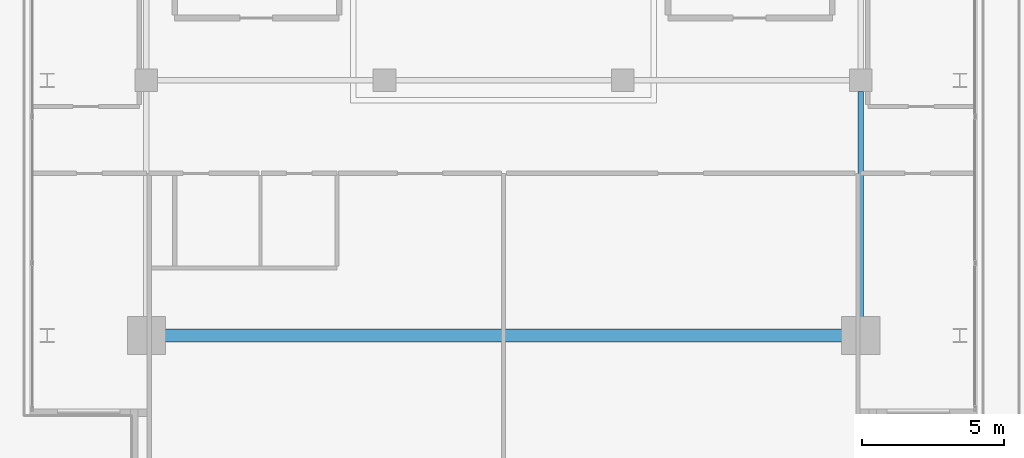
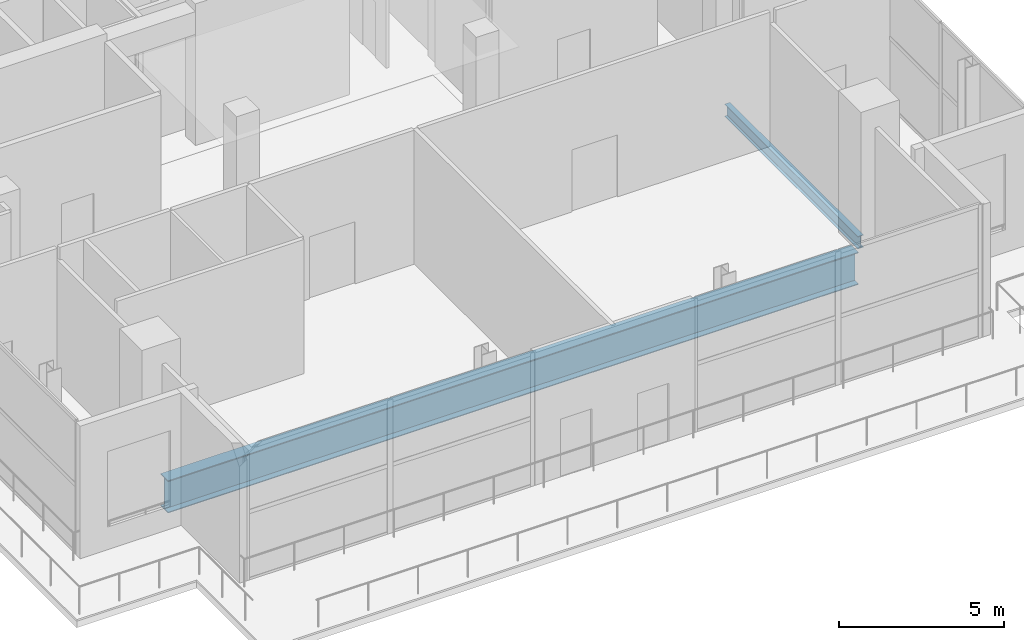
# One storey, part 5 of 19: 2 beams.
"""IFC4 building model written with IfcOpenShell, lengths in metres."""

from ifc_helpers import new_model, si_unit, direction, frame, origin, origin_2d, place, context, subcontext, project, spatial, i_section, extrude, material, material_profile, profile_set, type_object, element, save


model = new_model("IFC4")

# Units and contexts
model_context = context("Model", 3, precision=1e-05, world=origin(), true_north=direction((0.0, 1.0)))
body_context = subcontext(model_context, "Body", "Model", "MODEL_VIEW")
ifc_project = project(units=[si_unit("LENGTHUNIT", "METRE"), si_unit("AREAUNIT", "SQUARE_METRE"), si_unit("VOLUMEUNIT", "CUBIC_METRE"), si_unit("PLANEANGLEUNIT", "RADIAN"), si_unit("MASSUNIT", "GRAM", prefix="KILO")], contexts=[model_context])

# Site, building, storey
site_placement = place(None, origin())
site = spatial("IfcSite", under=ifc_project, at=site_placement, CompositionType="ELEMENT")
building_placement = place(site_placement, origin())
building = spatial("IfcBuilding", under=site, at=building_placement, Name="Maruvema Waterfront Hotel and Observation Tower", CompositionType="ELEMENT")
storey_placement = place(building_placement, frame((0.0, 0.0, 359.10009765625)))
storey = spatial("IfcBuildingStorey", under=building, at=storey_placement, Name="L88", CompositionType="ELEMENT", Elevation=359.10009765625)

# Beams
ifc_material_1 = material(Name="Steel ASTM A572 Grade 50", Category="steel")
ifc_material_profile_1 = material_profile(ifc_material_1, i_section(OverallWidth=0.19189453125, OverallDepth=0.462890625, WebThickness=0.010498046875, FlangeThickness=0.017578125, FilletRadius=0.014892578125, at=origin_2d()), Name="W460x89.0")
ifc_profile_set_1 = profile_set([ifc_material_profile_1], Name="Steel ASTM A572 Grade 50")
beam_type_1 = type_object("IfcBeamType", Name="Primary Floor Girder W460x89.0", PredefinedType="BEAM", material=ifc_profile_set_1)
beam_1_placement = place(storey_placement, frame((50.39990234375, 27.5, -0.49169921875), z_axis=(0.0, 1.0, 0.0), x_axis=(-1.0, 0.0, 0.0)))
element("IfcBeam", 1, at=beam_1_placement, inside=storey, type_object=beam_type_1, Name="L88 Floor Girder NS-03", PredefinedType="BEAM", context=body_context, shape_type="SweptSolid", body=[
    extrude(i_section(OverallWidth=0.19189453125, OverallDepth=0.462890625, WebThickness=0.010498046875, FlangeThickness=0.017578125, FilletRadius=0.014892578125, at=origin_2d()), origin(), (0.0, 0.0, 1.0), 8.10009765625),
])
ifc_material_2 = material(Name="Steel ABNT NBR 7007 AR 415 (ASTM A572 Grade 50)", Category="steel")
ifc_material_profile_2 = material_profile(ifc_material_2, i_section(OverallWidth=0.449951171875, OverallDepth=1.199951171875, WebThickness=0.01904296875, FlangeThickness=0.031982421875, at=origin_2d()), Name="VS1200x366")
ifc_profile_set_2 = profile_set([ifc_material_profile_2], Name="Steel ABNT NBR 7007 AR 415 (ASTM A572 Grade 50)")
beam_type_2 = type_object("IfcBeamType", Name="Upper Setback Transfer Girder VS1200x366", PredefinedType="USERDEFINED", material=ifc_profile_set_2)
beam_2_placement = place(storey_placement, frame((25.699951171875, 27.0, -0.860107421875), z_axis=(1.0, 0.0, 0.0), x_axis=(0.0, 1.0, 0.0)))
element("IfcBeam", 2, at=beam_2_placement, inside=storey, type_object=beam_type_2, Name="L88 Floor Girder EW-01", ObjectType="TRANSFER GIRDER", PredefinedType="USERDEFINED", context=body_context, shape_type="SweptSolid", body=[
    extrude(i_section(OverallWidth=0.449951171875, OverallDepth=1.199951171875, WebThickness=0.01904296875, FlangeThickness=0.031982421875, at=origin_2d()), origin(), (0.0, 0.0, 1.0), 24.199951171875),
])

save(model, "model.ifc")
